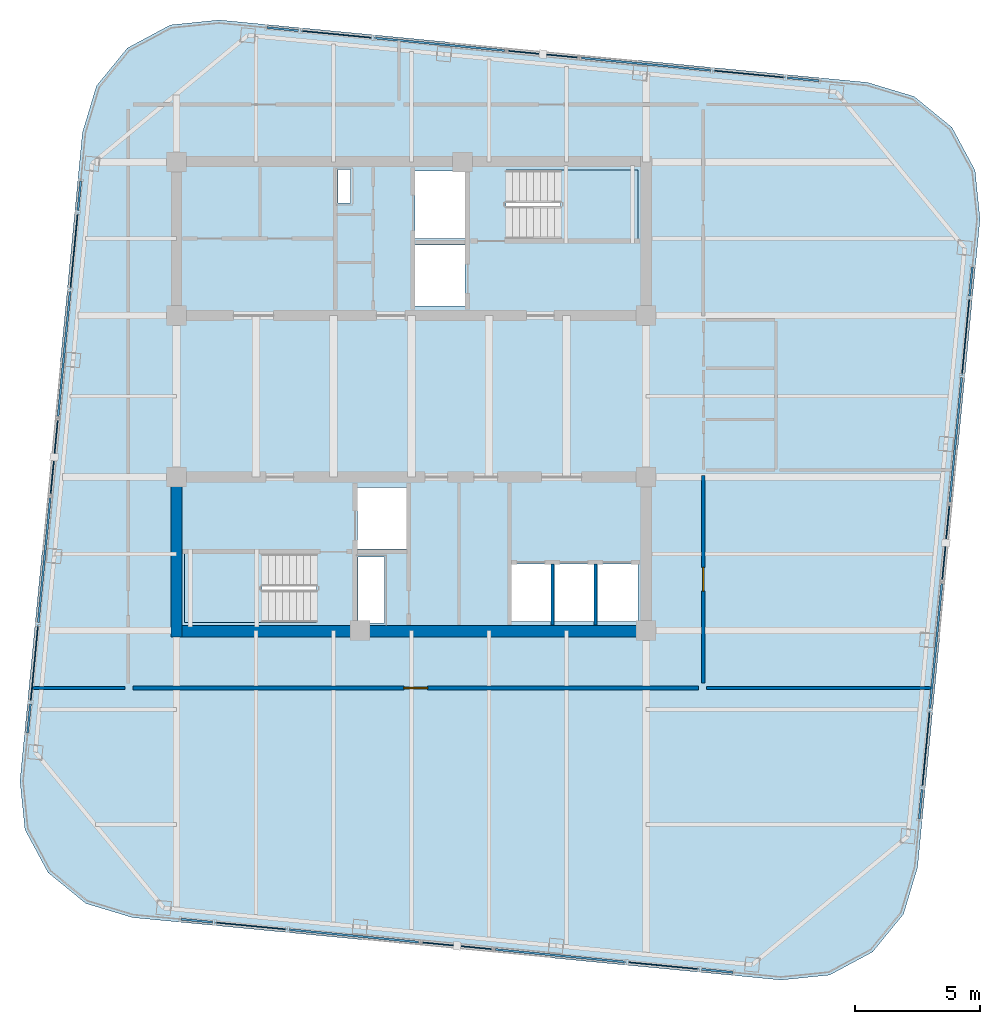
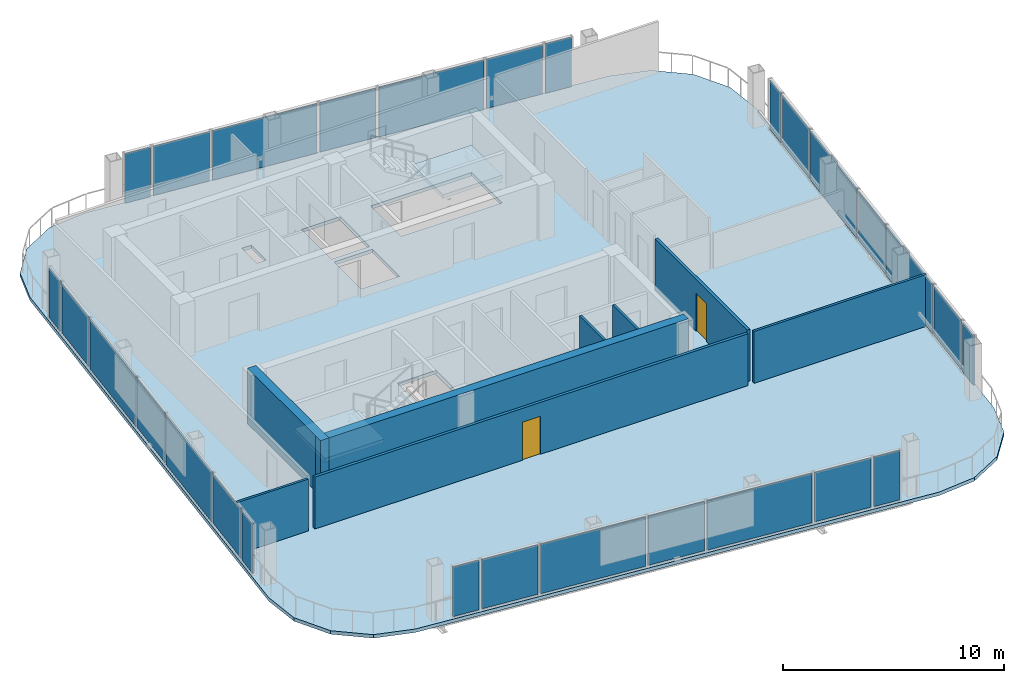
# One storey, part 20 of 26: 28 plates, 8 walls, 3 slabs, 2 doors, 2 openings, 30 elements without a shape of their own.
"""IFC4 building model written with IfcOpenShell, lengths in metres."""

from ifc_helpers import new_model, si_unit, direction, frame, frame_2d, origin, origin_2d, place, context, subcontext, project, spatial, polyline, rectangle, outline, extrude, material, layer, layer_set, type_object, element, fill, aggregate, save


model = new_model("IFC4")

# Units and contexts
model_context = context("Model", 3, precision=1e-05, world=origin(), true_north=direction((0.0, 1.0)))
body_context = subcontext(model_context, "Body", "Model", "MODEL_VIEW")
ifc_project = project(units=[si_unit("LENGTHUNIT", "METRE"), si_unit("AREAUNIT", "SQUARE_METRE"), si_unit("VOLUMEUNIT", "CUBIC_METRE"), si_unit("PLANEANGLEUNIT", "RADIAN"), si_unit("MASSUNIT", "GRAM", prefix="KILO")], contexts=[model_context])

# Site, building, storey
site_placement = place(None, origin())
site = spatial("IfcSite", under=ifc_project, at=site_placement, CompositionType="ELEMENT")
building_placement = place(site_placement, origin())
building = spatial("IfcBuilding", under=site, at=building_placement, Name="Qhalaya Broadcast Tower", CompositionType="ELEMENT")
storey_placement = place(building_placement, frame((0.0, 0.0, 248.949951171875)))
storey = spatial("IfcBuildingStorey", under=building, at=storey_placement, Name="L73", CompositionType="ELEMENT", Elevation=248.949951171875)

# Curtain wall, plate
ifc_material_1 = material(Name="Fired Architectural Terracotta", Category="masonry")
ifc_layer_1 = layer(ifc_material_1, 0.219970703125, Name="Fired Architectural Terracotta")
ifc_layer_set_1 = layer_set([ifc_layer_1], Name="Fired Architectural Terracotta")
curtain_wall_type_1 = type_object("IfcCurtainWallType", Name="Block-Cap Unitised Terracotta Spandrel Wall CW-07", PredefinedType="NOTDEFINED", material=ifc_layer_set_1)
curtain_wall_1_placement = place(storey_placement, origin())
curtain_wall_1 = element("IfcCurtainWall", 1, at=curtain_wall_1_placement, inside=storey, type_object=curtain_wall_type_1, Name="L73 Unitised Curtain Wall L73-CW-S1", PredefinedType="NOTDEFINED")
ifc_layer_2 = layer(ifc_material_1, 0.080078125, Name="Fired Architectural Terracotta")
ifc_layer_set_2 = layer_set([ifc_layer_2], Name="Fired Architectural Terracotta")
plate_type_1 = type_object("IfcPlateType", Name="Insulated Terracotta Spandrel Panel TSP-07", PredefinedType="CURTAIN_PANEL", material=ifc_layer_set_2)
plate_1_placement = place(storey_placement, frame((-8.564697265625, -20.337158203125, 0.074951171875), z_axis=(0.0, 0.0, 1.0), x_axis=(0.995396007008, -0.095847739846, 0.0)))
plate_1 = element("IfcPlate", 2, at=plate_1_placement, type_object=plate_type_1, Name="CW-07 panel 1.1", PredefinedType="CURTAIN_PANEL", context=body_context, shape_type="SweptSolid", body=[
    extrude(rectangle(XDim=1.27197265625, YDim=0.080078125, at=origin_2d()), origin(), (0.0, 0.0, 1.0), 2.7099609375),
])
aggregate(curtain_wall_1, [plate_1])

curtain_wall_2_placement = place(storey_placement, origin())
curtain_wall_2 = element("IfcCurtainWall", 3, at=curtain_wall_2_placement, inside=storey, type_object=curtain_wall_type_1, Name="L73 Unitised Curtain Wall L73-CW-S3", PredefinedType="NOTDEFINED")
plate_2_placement = place(storey_placement, frame((-2.2880859375, -20.941650390625, 0.074951171875), z_axis=(0.0, 0.0, 1.0), x_axis=(0.995396263968, -0.095845071223, 0.0)))
plate_2 = element("IfcPlate", 4, at=plate_2_placement, type_object=plate_type_1, Name="CW-07 panel 1.1", PredefinedType="CURTAIN_PANEL", context=body_context, shape_type="SweptSolid", body=[
    extrude(rectangle(XDim=5.193115234375, YDim=0.080078125, at=origin_2d()), origin(), (0.0, 0.0, 1.0), 2.7099609375),
])
aggregate(curtain_wall_2, [plate_2])

curtain_wall_3_placement = place(storey_placement, origin())
curtain_wall_3 = element("IfcCurtainWall", 5, at=curtain_wall_3_placement, inside=storey, type_object=curtain_wall_type_1, Name="L73 Unitised Curtain Wall L73-CW-S5", PredefinedType="NOTDEFINED")
plate_3_placement = place(storey_placement, frame((5.940673828125, -21.73388671875, 0.074951171875), z_axis=(0.0, 0.0, 1.0), x_axis=(0.995396263968, -0.095845071223, 0.0)))
plate_3 = element("IfcPlate", 6, at=plate_3_placement, type_object=plate_type_1, Name="CW-07 panel 1.1", PredefinedType="CURTAIN_PANEL", context=body_context, shape_type="SweptSolid", body=[
    extrude(rectangle(XDim=5.193115234375, YDim=0.080078125, at=origin_2d()), origin(), (0.0, 0.0, 1.0), 2.7099609375),
])
aggregate(curtain_wall_3, [plate_3])

curtain_wall_4_placement = place(storey_placement, origin())
curtain_wall_4 = element("IfcCurtainWall", 7, at=curtain_wall_4_placement, inside=storey, type_object=curtain_wall_type_1, Name="L73 Unitised Curtain Wall L73-CW-S7", PredefinedType="NOTDEFINED")
plate_4_placement = place(storey_placement, frame((12.21728515625, -22.338134765625, 0.074951171875), z_axis=(0.0, 0.0, 1.0), x_axis=(0.995395360914, -0.095854449411, 0.0)))
plate_4 = element("IfcPlate", 8, at=plate_4_placement, type_object=plate_type_1, Name="CW-07 panel 1.1", PredefinedType="CURTAIN_PANEL", context=body_context, shape_type="SweptSolid", body=[
    extrude(rectangle(XDim=1.27197265625, YDim=0.080078125, at=origin_2d()), origin(), (0.0, 0.0, 1.0), 2.7099609375),
])
aggregate(curtain_wall_4, [plate_4])

curtain_wall_5_placement = place(storey_placement, origin())
curtain_wall_5 = element("IfcCurtainWall", 9, at=curtain_wall_5_placement, inside=storey, type_object=curtain_wall_type_1, Name="L73 Unitised Curtain Wall L73-CW-E1", PredefinedType="NOTDEFINED")
plate_5_placement = place(storey_placement, frame((20.332763671875, -15.69140625, 0.074951171875), z_axis=(0.0, 0.0, 1.0), x_axis=(0.095857322215, 0.995395084264, 0.0)))
plate_5 = element("IfcPlate", 10, at=plate_5_placement, type_object=plate_type_1, Name="CW-07 panel 1.1", PredefinedType="CURTAIN_PANEL", context=body_context, shape_type="SweptSolid", body=[
    extrude(rectangle(XDim=1.177978515625, YDim=0.080078125, at=origin_2d()), origin(), (0.0, 0.0, 1.0), 2.7099609375),
])
aggregate(curtain_wall_5, [plate_5])

curtain_wall_6_placement = place(storey_placement, origin())
curtain_wall_6 = element("IfcCurtainWall", 11, at=curtain_wall_6_placement, inside=storey, type_object=curtain_wall_type_1, Name="L73 Unitised Curtain Wall L73-CW-E3", PredefinedType="NOTDEFINED")
plate_6_placement = place(storey_placement, frame((20.941650390625, -9.3681640625, 0.074951171875), z_axis=(0.0, 0.0, 1.0), x_axis=(0.095851335452, 0.995395660776, 0.0)))
plate_6 = element("IfcPlate", 12, at=plate_6_placement, type_object=plate_type_1, Name="CW-07 panel 1.1", PredefinedType="CURTAIN_PANEL", context=body_context, shape_type="SweptSolid", body=[
    extrude(rectangle(XDim=5.0068359375, YDim=0.080078125, at=origin_2d()), origin(), (0.0, 0.0, 1.0), 2.7099609375),
])
aggregate(curtain_wall_6, [plate_6])

curtain_wall_7_placement = place(storey_placement, origin())
curtain_wall_7 = element("IfcCurtainWall", 13, at=curtain_wall_7_placement, inside=storey, type_object=curtain_wall_type_1, Name="L73 Unitised Curtain Wall L73-CW-E5", PredefinedType="NOTDEFINED")
plate_7_placement = place(storey_placement, frame((21.73388671875, -1.13916015625, 0.074951171875), z_axis=(0.0, 0.0, 1.0), x_axis=(0.095849485357, 0.995395838929, 0.0)))
plate_7 = element("IfcPlate", 14, at=plate_7_placement, type_object=plate_type_1, Name="CW-07 panel 1.1", PredefinedType="CURTAIN_PANEL", context=body_context, shape_type="SweptSolid", body=[
    extrude(rectangle(XDim=5.007080078125, YDim=0.080078125, at=origin_2d()), origin(), (0.0, 0.0, 1.0), 2.7099609375),
])
aggregate(curtain_wall_7, [plate_7])

curtain_wall_8_placement = place(storey_placement, origin())
curtain_wall_8 = element("IfcCurtainWall", 15, at=curtain_wall_8_placement, inside=storey, type_object=curtain_wall_type_1, Name="L73 Unitised Curtain Wall L73-CW-E7", PredefinedType="NOTDEFINED")
plate_8_placement = place(storey_placement, frame((22.3427734375, 5.183837890625, 0.074951171875), z_axis=(0.0, 0.0, 1.0), x_axis=(0.095857322215, 0.995395084264, 0.0)))
plate_8 = element("IfcPlate", 16, at=plate_8_placement, type_object=plate_type_1, Name="CW-07 panel 1.1", PredefinedType="CURTAIN_PANEL", context=body_context, shape_type="SweptSolid", body=[
    extrude(rectangle(XDim=1.177978515625, YDim=0.080078125, at=origin_2d()), origin(), (0.0, 0.0, 1.0), 2.7099609375),
])
aggregate(curtain_wall_8, [plate_8])

curtain_wall_9_placement = place(storey_placement, origin())
curtain_wall_9 = element("IfcCurtainWall", 17, at=curtain_wall_9_placement, inside=storey, type_object=curtain_wall_type_1, Name="L73 Unitised Curtain Wall L73-CW-N1", PredefinedType="NOTDEFINED")
plate_9_placement = place(storey_placement, frame((15.64453125, 13.257080078125, 0.074951171875), z_axis=(0.0, 0.0, 1.0), x_axis=(-0.995396007008, 0.095847739846, 0.0)))
plate_9 = element("IfcPlate", 18, at=plate_9_placement, type_object=plate_type_1, Name="CW-07 panel 1.1", PredefinedType="CURTAIN_PANEL", context=body_context, shape_type="SweptSolid", body=[
    extrude(rectangle(XDim=1.27197265625, YDim=0.080078125, at=origin_2d()), origin(), (0.0, 0.0, 1.0), 2.7099609375),
])
aggregate(curtain_wall_9, [plate_9])

curtain_wall_10_placement = place(storey_placement, origin())
curtain_wall_10 = element("IfcCurtainWall", 19, at=curtain_wall_10_placement, inside=storey, type_object=curtain_wall_type_1, Name="L73 Unitised Curtain Wall L73-CW-N3", PredefinedType="NOTDEFINED")
plate_10_placement = place(storey_placement, frame((9.3681640625, 13.861572265625, 0.074951171875), z_axis=(0.0, 0.0, 1.0), x_axis=(-0.995396263968, 0.095845071223, 0.0)))
plate_10 = element("IfcPlate", 20, at=plate_10_placement, type_object=plate_type_1, Name="CW-07 panel 1.1", PredefinedType="CURTAIN_PANEL", context=body_context, shape_type="SweptSolid", body=[
    extrude(rectangle(XDim=5.193115234375, YDim=0.080078125, at=origin_2d()), origin(), (0.0, 0.0, 1.0), 2.7099609375),
])
aggregate(curtain_wall_10, [plate_10])

curtain_wall_11_placement = place(storey_placement, origin())
curtain_wall_11 = element("IfcCurtainWall", 21, at=curtain_wall_11_placement, inside=storey, type_object=curtain_wall_type_1, Name="L73 Unitised Curtain Wall L73-CW-N5", PredefinedType="NOTDEFINED")
plate_11_placement = place(storey_placement, frame((1.139404296875, 14.65380859375, 0.074951171875), z_axis=(0.0, 0.0, 1.0), x_axis=(-0.995396263968, 0.095845071223, 0.0)))
plate_11 = element("IfcPlate", 22, at=plate_11_placement, type_object=plate_type_1, Name="CW-07 panel 1.1", PredefinedType="CURTAIN_PANEL", context=body_context, shape_type="SweptSolid", body=[
    extrude(rectangle(XDim=5.193115234375, YDim=0.080078125, at=origin_2d()), origin(), (0.0, 0.0, 1.0), 2.7099609375),
])
aggregate(curtain_wall_11, [plate_11])

curtain_wall_12_placement = place(storey_placement, origin())
curtain_wall_12 = element("IfcCurtainWall", 23, at=curtain_wall_12_placement, inside=storey, type_object=curtain_wall_type_1, Name="L73 Unitised Curtain Wall L73-CW-N7", PredefinedType="NOTDEFINED")
plate_12_placement = place(storey_placement, frame((-5.13720703125, 15.25830078125, 0.074951171875), z_axis=(0.0, 0.0, 1.0), x_axis=(-0.995395360914, 0.095854449411, 0.0)))
plate_12 = element("IfcPlate", 24, at=plate_12_placement, type_object=plate_type_1, Name="CW-07 panel 1.1", PredefinedType="CURTAIN_PANEL", context=body_context, shape_type="SweptSolid", body=[
    extrude(rectangle(XDim=1.27197265625, YDim=0.080078125, at=origin_2d()), origin(), (0.0, 0.0, 1.0), 2.7099609375),
])
aggregate(curtain_wall_12, [plate_12])

curtain_wall_13_placement = place(storey_placement, origin())
curtain_wall_13 = element("IfcCurtainWall", 25, at=curtain_wall_13_placement, inside=storey, type_object=curtain_wall_type_1, Name="L73 Unitised Curtain Wall L73-CW-W1", PredefinedType="NOTDEFINED")
plate_13_placement = place(storey_placement, frame((-13.252685546875, 8.611328125, 0.074951171875), z_axis=(0.0, 0.0, 1.0), x_axis=(-0.095857322215, -0.995395084264, 0.0)))
plate_13 = element("IfcPlate", 26, at=plate_13_placement, type_object=plate_type_1, Name="CW-07 panel 1.1", PredefinedType="CURTAIN_PANEL", context=body_context, shape_type="SweptSolid", body=[
    extrude(rectangle(XDim=1.177978515625, YDim=0.080078125, at=origin_2d()), origin(), (0.0, 0.0, 1.0), 2.7099609375),
])
aggregate(curtain_wall_13, [plate_13])

curtain_wall_14_placement = place(storey_placement, origin())
curtain_wall_14 = element("IfcCurtainWall", 27, at=curtain_wall_14_placement, inside=storey, type_object=curtain_wall_type_1, Name="L73 Unitised Curtain Wall L73-CW-W3", PredefinedType="NOTDEFINED")
plate_14_placement = place(storey_placement, frame((-13.861572265625, 2.2880859375, 0.074951171875), z_axis=(0.0, 0.0, 1.0), x_axis=(-0.095851335452, -0.995395660776, 0.0)))
plate_14 = element("IfcPlate", 28, at=plate_14_placement, type_object=plate_type_1, Name="CW-07 panel 1.1", PredefinedType="CURTAIN_PANEL", context=body_context, shape_type="SweptSolid", body=[
    extrude(rectangle(XDim=5.0068359375, YDim=0.080078125, at=origin_2d()), origin(), (0.0, 0.0, 1.0), 2.7099609375),
])
aggregate(curtain_wall_14, [plate_14])

curtain_wall_15_placement = place(storey_placement, origin())
curtain_wall_15 = element("IfcCurtainWall", 29, at=curtain_wall_15_placement, inside=storey, type_object=curtain_wall_type_1, Name="L73 Unitised Curtain Wall L73-CW-W5", PredefinedType="NOTDEFINED")
plate_15_placement = place(storey_placement, frame((-14.65380859375, -5.940673828125, 0.074951171875), z_axis=(0.0, 0.0, 1.0), x_axis=(-0.095849485357, -0.995395838929, 0.0)))
plate_15 = element("IfcPlate", 30, at=plate_15_placement, type_object=plate_type_1, Name="CW-07 panel 1.1", PredefinedType="CURTAIN_PANEL", context=body_context, shape_type="SweptSolid", body=[
    extrude(rectangle(XDim=5.007080078125, YDim=0.080078125, at=origin_2d()), origin(), (0.0, 0.0, 1.0), 2.7099609375),
])
aggregate(curtain_wall_15, [plate_15])

curtain_wall_16_placement = place(storey_placement, origin())
curtain_wall_16 = element("IfcCurtainWall", 31, at=curtain_wall_16_placement, inside=storey, type_object=curtain_wall_type_1, Name="L73 Unitised Curtain Wall L73-CW-W7", PredefinedType="NOTDEFINED")
plate_16_placement = place(storey_placement, frame((-15.2626953125, -12.263916015625, 0.074951171875), z_axis=(0.0, 0.0, 1.0), x_axis=(-0.095857322215, -0.995395084264, 0.0)))
plate_16 = element("IfcPlate", 32, at=plate_16_placement, type_object=plate_type_1, Name="CW-07 panel 1.1", PredefinedType="CURTAIN_PANEL", context=body_context, shape_type="SweptSolid", body=[
    extrude(rectangle(XDim=1.177978515625, YDim=0.080078125, at=origin_2d()), origin(), (0.0, 0.0, 1.0), 2.7099609375),
])
aggregate(curtain_wall_16, [plate_16])

ifc_material_2 = material(Name="Solar-Control Low-E Triple Glazing", Category="glass")
ifc_layer_3 = layer(ifc_material_2, 0.219970703125, Name="Solar-Control Low-E Triple Glazing")
ifc_layer_set_3 = layer_set([ifc_layer_3], Name="Solar-Control Low-E Triple Glazing")
curtain_wall_type_2 = type_object("IfcCurtainWallType", Name="High-Altitude Upper-Shaft Triple Low-E Curtain Wall CW-04", PredefinedType="NOTDEFINED", material=ifc_layer_set_3)
curtain_wall_17_placement = place(storey_placement, origin())
curtain_wall_17 = element("IfcCurtainWall", 33, at=curtain_wall_17_placement, inside=storey, type_object=curtain_wall_type_2, Name="L73 Unitised Curtain Wall L73-CW-S2", PredefinedType="NOTDEFINED")
ifc_layer_4 = layer(ifc_material_2, 0.0419921875, Name="Solar-Control Low-E Triple Glazing")
ifc_layer_set_4 = layer_set([ifc_layer_4], Name="Solar-Control Low-E Triple Glazing")
plate_type_2 = type_object("IfcPlateType", Name="Solar-Control Curtain Glazing Panel GLP-04", PredefinedType="CURTAIN_PANEL", material=ifc_layer_set_4)
plate_17_placement = place(storey_placement, frame((-6.402099609375, -20.54541015625, 0.074951171875), z_axis=(0.0, 0.0, 1.0), x_axis=(0.99539466371, -0.095861689211, 0.0)))
plate_17 = element("IfcPlate", 34, at=plate_17_placement, type_object=plate_type_2, Name="CW-04 panel 1.1", PredefinedType="CURTAIN_PANEL", context=body_context, shape_type="SweptSolid", body=[
    extrude(rectangle(XDim=2.77294921875, YDim=0.0419921875, at=origin_2d()), origin(), (0.0, 0.0, 1.0), 2.7099609375),
])
aggregate(curtain_wall_17, [plate_17])

curtain_wall_18_placement = place(storey_placement, origin())
curtain_wall_18 = element("IfcCurtainWall", 35, at=curtain_wall_18_placement, inside=storey, type_object=curtain_wall_type_2, Name="L73 Unitised Curtain Wall L73-CW-S4", PredefinedType="NOTDEFINED")
plate_18_placement = place(storey_placement, frame((1.826171875, -21.337646484375, 0.074951171875), z_axis=(0.0, 0.0, 1.0), x_axis=(0.995397805992, -0.095829055234, 0.0)))
plate_18 = element("IfcPlate", 36, at=plate_18_placement, type_object=plate_type_2, Name="CW-04 panel 1.1", PredefinedType="CURTAIN_PANEL", context=body_context, shape_type="SweptSolid", body=[
    extrude(rectangle(XDim=2.77392578125, YDim=0.0419921875, at=origin_2d()), origin(), (0.0, 0.0, 1.0), 2.7099609375),
])
aggregate(curtain_wall_18, [plate_18])

curtain_wall_19_placement = place(storey_placement, origin())
curtain_wall_19 = element("IfcCurtainWall", 37, at=curtain_wall_19_placement, inside=storey, type_object=curtain_wall_type_2, Name="L73 Unitised Curtain Wall L73-CW-S6", PredefinedType="NOTDEFINED")
plate_19_placement = place(storey_placement, frame((10.0546875, -22.1298828125, 0.074951171875), z_axis=(0.0, 0.0, 1.0), x_axis=(0.995394978082, -0.095858424822, 0.0)))
plate_19 = element("IfcPlate", 38, at=plate_19_placement, type_object=plate_type_2, Name="CW-04 panel 1.1", PredefinedType="CURTAIN_PANEL", context=body_context, shape_type="SweptSolid", body=[
    extrude(rectangle(XDim=2.77294921875, YDim=0.0419921875, at=origin_2d()), origin(), (0.0, 0.0, 1.0), 2.7099609375),
])
aggregate(curtain_wall_19, [plate_19])

curtain_wall_20_placement = place(storey_placement, origin())
curtain_wall_20 = element("IfcCurtainWall", 39, at=curtain_wall_20_placement, inside=storey, type_object=curtain_wall_type_2, Name="L73 Unitised Curtain Wall L73-CW-E2", PredefinedType="NOTDEFINED")
plate_20_placement = place(storey_placement, frame((20.54541015625, -13.482666015625, 0.074951171875), z_axis=(0.0, 0.0, 1.0), x_axis=(0.095851485016, 0.995395646374, 0.0)))
plate_20 = element("IfcPlate", 40, at=plate_20_placement, type_object=plate_type_2, Name="CW-04 panel 1.1", PredefinedType="CURTAIN_PANEL", context=body_context, shape_type="SweptSolid", body=[
    extrude(rectangle(XDim=2.9599609375, YDim=0.0419921875, at=origin_2d()), origin(), (0.0, 0.0, 1.0), 2.7099609375),
])
aggregate(curtain_wall_20, [plate_20])

curtain_wall_21_placement = place(storey_placement, origin())
curtain_wall_21 = element("IfcCurtainWall", 41, at=curtain_wall_21_placement, inside=storey, type_object=curtain_wall_type_2, Name="L73 Unitised Curtain Wall L73-CW-E4", PredefinedType="NOTDEFINED")
plate_21_placement = place(storey_placement, frame((21.337646484375, -5.253662109375, 0.074951171875), z_axis=(0.0, 0.0, 1.0), x_axis=(0.095819626155, 0.995398713704, 0.0)))
plate_21 = element("IfcPlate", 42, at=plate_21_placement, type_object=plate_type_2, Name="CW-04 panel 1.1", PredefinedType="CURTAIN_PANEL", context=body_context, shape_type="SweptSolid", body=[
    extrude(rectangle(XDim=2.9599609375, YDim=0.0419921875, at=origin_2d()), origin(), (0.0, 0.0, 1.0), 2.7099609375),
])
aggregate(curtain_wall_21, [plate_21])

curtain_wall_22_placement = place(storey_placement, origin())
curtain_wall_22 = element("IfcCurtainWall", 43, at=curtain_wall_22_placement, inside=storey, type_object=curtain_wall_type_2, Name="L73 Unitised Curtain Wall L73-CW-E6", PredefinedType="NOTDEFINED")
plate_22_placement = place(storey_placement, frame((22.130126953125, 2.97509765625, 0.074951171875), z_axis=(0.0, 0.0, 1.0), x_axis=(0.095854552953, 0.995395350943, 0.0)))
plate_22 = element("IfcPlate", 44, at=plate_22_placement, type_object=plate_type_2, Name="CW-04 panel 1.1", PredefinedType="CURTAIN_PANEL", context=body_context, shape_type="SweptSolid", body=[
    extrude(rectangle(XDim=2.9599609375, YDim=0.0419921875, at=origin_2d()), origin(), (0.0, 0.0, 1.0), 2.7099609375),
])
aggregate(curtain_wall_22, [plate_22])

curtain_wall_23_placement = place(storey_placement, origin())
curtain_wall_23 = element("IfcCurtainWall", 45, at=curtain_wall_23_placement, inside=storey, type_object=curtain_wall_type_2, Name="L73 Unitised Curtain Wall L73-CW-N2", PredefinedType="NOTDEFINED")
plate_23_placement = place(storey_placement, frame((13.482177734375, 13.46533203125, 0.074951171875), z_axis=(0.0, 0.0, 1.0), x_axis=(-0.99539466371, 0.095861689211, 0.0)))
plate_23 = element("IfcPlate", 46, at=plate_23_placement, type_object=plate_type_2, Name="CW-04 panel 1.1", PredefinedType="CURTAIN_PANEL", context=body_context, shape_type="SweptSolid", body=[
    extrude(rectangle(XDim=2.77294921875, YDim=0.0419921875, at=origin_2d()), origin(), (0.0, 0.0, 1.0), 2.7099609375),
])
aggregate(curtain_wall_23, [plate_23])

curtain_wall_24_placement = place(storey_placement, origin())
curtain_wall_24 = element("IfcCurtainWall", 47, at=curtain_wall_24_placement, inside=storey, type_object=curtain_wall_type_2, Name="L73 Unitised Curtain Wall L73-CW-N4", PredefinedType="NOTDEFINED")
plate_24_placement = place(storey_placement, frame((5.253662109375, 14.2578125, 0.074951171875), z_axis=(0.0, 0.0, 1.0), x_axis=(-0.995397805992, 0.095829055234, 0.0)))
plate_24 = element("IfcPlate", 48, at=plate_24_placement, type_object=plate_type_2, Name="CW-04 panel 1.1", PredefinedType="CURTAIN_PANEL", context=body_context, shape_type="SweptSolid", body=[
    extrude(rectangle(XDim=2.77392578125, YDim=0.0419921875, at=origin_2d()), origin(), (0.0, 0.0, 1.0), 2.7099609375),
])
aggregate(curtain_wall_24, [plate_24])

curtain_wall_25_placement = place(storey_placement, origin())
curtain_wall_25 = element("IfcCurtainWall", 49, at=curtain_wall_25_placement, inside=storey, type_object=curtain_wall_type_2, Name="L73 Unitised Curtain Wall L73-CW-N6", PredefinedType="NOTDEFINED")
plate_25_placement = place(storey_placement, frame((-2.974609375, 15.050048828125, 0.074951171875), z_axis=(0.0, 0.0, 1.0), x_axis=(-0.995394978082, 0.095858424822, 0.0)))
plate_25 = element("IfcPlate", 50, at=plate_25_placement, type_object=plate_type_2, Name="CW-04 panel 1.1", PredefinedType="CURTAIN_PANEL", context=body_context, shape_type="SweptSolid", body=[
    extrude(rectangle(XDim=2.77294921875, YDim=0.0419921875, at=origin_2d()), origin(), (0.0, 0.0, 1.0), 2.7099609375),
])
aggregate(curtain_wall_25, [plate_25])

curtain_wall_26_placement = place(storey_placement, origin())
curtain_wall_26 = element("IfcCurtainWall", 51, at=curtain_wall_26_placement, inside=storey, type_object=curtain_wall_type_2, Name="L73 Unitised Curtain Wall L73-CW-W2", PredefinedType="NOTDEFINED")
plate_26_placement = place(storey_placement, frame((-13.46533203125, 6.402587890625, 0.074951171875), z_axis=(0.0, 0.0, 1.0), x_axis=(-0.095851485016, -0.995395646374, 0.0)))
plate_26 = element("IfcPlate", 52, at=plate_26_placement, type_object=plate_type_2, Name="CW-04 panel 1.1", PredefinedType="CURTAIN_PANEL", context=body_context, shape_type="SweptSolid", body=[
    extrude(rectangle(XDim=2.9599609375, YDim=0.0419921875, at=origin_2d()), origin(), (0.0, 0.0, 1.0), 2.7099609375),
])
aggregate(curtain_wall_26, [plate_26])

curtain_wall_27_placement = place(storey_placement, origin())
curtain_wall_27 = element("IfcCurtainWall", 53, at=curtain_wall_27_placement, inside=storey, type_object=curtain_wall_type_2, Name="L73 Unitised Curtain Wall L73-CW-W4", PredefinedType="NOTDEFINED")
plate_27_placement = place(storey_placement, frame((-14.2578125, -1.826171875, 0.074951171875), z_axis=(0.0, 0.0, 1.0), x_axis=(-0.095819626155, -0.995398713704, 0.0)))
plate_27 = element("IfcPlate", 54, at=plate_27_placement, type_object=plate_type_2, Name="CW-04 panel 1.1", PredefinedType="CURTAIN_PANEL", context=body_context, shape_type="SweptSolid", body=[
    extrude(rectangle(XDim=2.9599609375, YDim=0.0419921875, at=origin_2d()), origin(), (0.0, 0.0, 1.0), 2.7099609375),
])
aggregate(curtain_wall_27, [plate_27])

curtain_wall_28_placement = place(storey_placement, origin())
curtain_wall_28 = element("IfcCurtainWall", 55, at=curtain_wall_28_placement, inside=storey, type_object=curtain_wall_type_2, Name="L73 Unitised Curtain Wall L73-CW-W6", PredefinedType="NOTDEFINED")
plate_28_placement = place(storey_placement, frame((-15.050048828125, -10.05517578125, 0.074951171875), z_axis=(0.0, 0.0, 1.0), x_axis=(-0.095854552953, -0.995395350943, 0.0)))
plate_28 = element("IfcPlate", 56, at=plate_28_placement, type_object=plate_type_2, Name="CW-04 panel 1.1", PredefinedType="CURTAIN_PANEL", context=body_context, shape_type="SweptSolid", body=[
    extrude(rectangle(XDim=2.9599609375, YDim=0.0419921875, at=origin_2d()), origin(), (0.0, 0.0, 1.0), 2.7099609375),
])
aggregate(curtain_wall_28, [plate_28])

# Stair, slab
ifc_material_3 = material(Name="Concrete C40/50", Category="concrete")
stair_type = type_object("IfcStairType", Name="Protected Dogleg Core Stair 3150", PredefinedType="TWO_STRAIGHT_RUN_STAIR", material=ifc_material_3)
stair_1_placement = place(storey_placement, origin())
stair_1 = element("IfcStair", 57, at=stair_1_placement, inside=storey, type_object=stair_type, Name="L73 North Core Exit Stair ST-1", PredefinedType="TWO_STRAIGHT_RUN_STAIR")
ifc_layer_5 = layer(ifc_material_3, 0.199951171875, Name="Concrete C40/50")
ifc_layer_set_5 = layer_set([ifc_layer_5], Name="Concrete C40/50")
slab_type_1 = type_object("IfcSlabType", Name="Stair & Ramp Half-Landing Slab 200", PredefinedType="LANDING", material=ifc_layer_set_5)
slab_1_placement = place(storey_placement, frame((0.0, 0.0, 1.324951171875)))
slab_1 = element("IfcSlab", 58, at=slab_1_placement, type_object=slab_type_1, Name="ST-1 landing 1", PredefinedType="LANDING", context=body_context, shape_type="SweptSolid", body=[
    extrude(outline(polyline([(5.955078125, 6.8798828125), (9.050048828125, 6.8798828125), (9.050048828125, 9.639892578125), (5.955078125, 9.639892578125), (5.955078125, 6.8798828125)])), origin(), (0.0, 0.0, 1.0), 0.2001953125),
])
aggregate(stair_1, [slab_1])

stair_2_placement = place(storey_placement, origin())
stair_2 = element("IfcStair", 59, at=stair_2_placement, inside=storey, type_object=stair_type, Name="L73 South Core Exit Stair ST-2", PredefinedType="TWO_STRAIGHT_RUN_STAIR")
slab_2_placement = place(storey_placement, frame((0.0, 0.0, 1.324951171875)))
slab_2 = element("IfcSlab", 60, at=slab_2_placement, type_object=slab_type_1, Name="ST-2 landing 1", PredefinedType="LANDING", context=body_context, shape_type="SweptSolid", body=[
    extrude(outline(polyline([(-5.955078125, -5.679931640625), (-9.050048828125, -5.679931640625), (-9.050048828125, -8.43994140625), (-5.955078125, -8.43994140625), (-5.955078125, -5.679931640625)])), origin(), (0.0, 0.0, 1.0), 0.2001953125),
])
aggregate(stair_2, [slab_2])

# Slab
ifc_layer_6 = layer(ifc_material_3, 0.18994140625, Name="Concrete C40/50")
ifc_layer_set_6 = layer_set([ifc_layer_6], Name="Concrete C40/50")
slab_type_2 = type_object("IfcSlabType", Name="Upper Tower Composite Floor Slab 190", PredefinedType="FLOOR", material=ifc_layer_set_6)
slab_3_placement = place(storey_placement, frame((0.0, 0.0, -0.18994140625)))
element("IfcSlab", 61, at=slab_3_placement, inside=storey, type_object=slab_type_2, Name="L73 Main Structural Floor Slab", PredefinedType="FLOOR", context=body_context, shape_type="SweptSolid", body=[
    extrude(outline(polyline([(14.7548828125, -22.703125), (16.696044921875, -22.5078125), (18.41455078125, -21.584228515625), (19.64892578125, -20.073486328125), (20.211181640625, -18.205322265625), (22.703125, 7.6748046875), (22.5078125, 9.615966796875), (21.584228515625, 11.33447265625), (20.073486328125, 12.56884765625), (18.205322265625, 13.131103515625), (-7.6748046875, 15.623046875), (-9.615966796875, 15.427734375), (-11.33447265625, 14.50439453125), (-12.56884765625, 12.993408203125), (-13.131103515625, 11.12548828125), (-15.623046875, -14.7548828125), (-15.427734375, -16.696044921875), (-14.50439453125, -18.41455078125), (-12.993408203125, -19.64892578125), (-11.12548828125, -20.211181640625), (14.7548828125, -22.703125)]), holes=[polyline([(3.784912109375, 9.639892578125), (9.050048828125, 9.639892578125), (9.050048828125, 6.8798828125), (3.784912109375, 6.8798828125), (3.784912109375, 9.639892578125)]), polyline([(-3.784912109375, -8.43994140625), (-9.050048828125, -8.43994140625), (-9.050048828125, -5.679931640625), (-3.784912109375, -5.679931640625), (-3.784912109375, -8.43994140625)]), polyline([(0.14990234375, 6.64990234375), (2.14990234375, 6.64990234375), (2.14990234375, 4.199951171875), (0.14990234375, 4.199951171875), (0.14990234375, 6.64990234375)]), polyline([(0.14990234375, 9.60009765625), (2.14990234375, 9.60009765625), (2.14990234375, 6.89990234375), (0.14990234375, 6.89990234375), (0.14990234375, 9.60009765625)]), polyline([(-2.14990234375, -3.050048828125), (-0.14990234375, -3.050048828125), (-0.14990234375, -5.5), (-2.14990234375, -5.5), (-2.14990234375, -3.050048828125)]), polyline([(4.0, -6.10009765625), (5.60009765625, -6.10009765625), (5.60009765625, -8.39990234375), (4.0, -8.39990234375), (4.0, -6.10009765625)]), polyline([(5.719970703125, -6.10009765625), (7.320068359375, -6.10009765625), (7.320068359375, -8.39990234375), (5.719970703125, -8.39990234375), (5.719970703125, -6.10009765625)]), polyline([(7.43994140625, -6.10009765625), (9.0400390625, -6.10009765625), (9.0400390625, -8.39990234375), (7.43994140625, -8.39990234375), (7.43994140625, -6.10009765625)]), polyline([(-2.919921875, 9.659912109375), (-2.419921875, 9.659912109375), (-2.419921875, 8.320068359375), (-2.919921875, 8.320068359375), (-2.919921875, 9.659912109375)]), polyline([(-2.1201171875, -5.820068359375), (-1.080078125, -5.820068359375), (-1.080078125, -8.4599609375), (-2.1201171875, -8.4599609375), (-2.1201171875, -5.820068359375)])]), origin(), (0.0, 0.0, 1.0), 0.18994140625),
])

# Wall, opening, door
ifc_material_4 = material(Name="Gypsum Acoustic Partition")
ifc_layer_7 = layer(ifc_material_4, 0.14990234375, Name="Gypsum Acoustic Partition")
ifc_layer_set_7 = layer_set([ifc_layer_7], Name="Gypsum Acoustic Partition")
wall_type_1 = type_object("IfcWallType", Name="Corridor & Tenancy Acoustic Partition 150", PredefinedType="PARTITIONING", material=ifc_layer_set_7)
wall_1_placement = place(storey_placement, frame((-11.1201171875, -11.050048828125, 0.0), z_axis=(0.0, 0.0, 1.0), x_axis=(1.0, 0.0, 0.0)))
wall_1 = element("IfcWall", 62, at=wall_1_placement, inside=storey, type_object=wall_type_1, Name="L73 Partition Wall W-COR-03", PredefinedType="PARTITIONING", context=body_context, shape_type="SweptSolid", body=[
    extrude(rectangle(XDim=22.590087890625, YDim=0.14990234375, at=frame_2d((11.294921875, 0.0))), origin(), (0.0, 0.0, 1.0), 2.860107421875),
])
opening_1_placement = place(wall_1_placement, frame((10.820068359375, 0.0, 0.0)))
opening_1 = element("IfcOpeningElement", 63, at=opening_1_placement, cuts=wall_1, Name="Opening D10", PredefinedType="OPENING", context=body_context, shape_type="SweptSolid", body=[
    extrude(rectangle(XDim=0.949951171875, YDim=2.10009765625, at=frame_2d((0.47509765625, 1.050048828125))), frame((0.0, 0.0869140625, 0.0), z_axis=(0.0, -1.0, 0.0), x_axis=(1.0, 0.0, 0.0)), (0.0, 0.0, 1.0), 0.173828125),
])
ifc_material_5 = material(Name="Timber Veneer Acoustic Door", Category="wood")
door_type = type_object("IfcDoorType", Name="Cellular Office & Edit Booth Door D10", OperationType="NOTDEFINED", PredefinedType="DOOR", material=ifc_material_5)
door_1_placement = place(opening_1_placement, origin())
door_1 = element("IfcDoor", 64, at=door_1_placement, inside=storey, type_object=door_type, Name="L73 Door D-RM03", OperationType="SINGLE_SWING_LEFT", OverallHeight=2.10009765625, OverallWidth=0.949951171875, PredefinedType="DOOR", context=body_context, shape_type="SweptSolid", body=[
    extrude(rectangle(XDim=0.949951171875, YDim=2.10009765625, at=frame_2d((0.47509765625, 1.050048828125))), frame((0.0, 0.02490234375, 0.0), z_axis=(0.0, -1.0, 0.0), x_axis=(1.0, 0.0, 0.0)), (0.0, 0.0, 1.0), 0.050048828125),
])
fill(opening_1, door_1)

wall_2_placement = place(storey_placement, frame((11.64990234375, -10.85009765625, 0.0), z_axis=(0.0, 0.0, 1.0), x_axis=(0.0, 1.0, 0.0)))
wall_2 = element("IfcWall", 65, at=wall_2_placement, inside=storey, type_object=wall_type_1, Name="L73 Partition Wall W-COR-05", PredefinedType="PARTITIONING", context=body_context, shape_type="SweptSolid", body=[
    extrude(rectangle(XDim=8.2900390625, YDim=0.14990234375, at=frame_2d((4.14501953125, 0.0))), origin(), (0.0, 0.0, 1.0), 2.860107421875),
])
opening_2_placement = place(wall_2_placement, frame((3.669921875, 0.0, 0.0)))
opening_2 = element("IfcOpeningElement", 66, at=opening_2_placement, cuts=wall_2, Name="Opening D10", PredefinedType="OPENING", context=body_context, shape_type="SweptSolid", body=[
    extrude(rectangle(XDim=0.949951171875, YDim=2.10009765625, at=frame_2d((0.47509765625, 1.050048828125))), frame((0.0, 0.0869140625, 0.0), z_axis=(0.0, -1.0, 0.0), x_axis=(1.0, 0.0, 0.0)), (0.0, 0.0, 1.0), 0.173828125),
])
door_2_placement = place(opening_2_placement, origin())
door_2 = element("IfcDoor", 67, at=door_2_placement, inside=storey, type_object=door_type, Name="L73 Door D-RM05", OperationType="SINGLE_SWING_LEFT", OverallHeight=2.10009765625, OverallWidth=0.949951171875, PredefinedType="DOOR", context=body_context, shape_type="SweptSolid", body=[
    extrude(rectangle(XDim=0.949951171875, YDim=2.10009765625, at=frame_2d((0.47509765625, 1.050048828125))), frame((0.0, 0.02490234375, 0.0), z_axis=(0.0, -1.0, 0.0), x_axis=(1.0, 0.0, 0.0)), (0.0, 0.0, 1.0), 0.050048828125),
])
fill(opening_2, door_2)

# Walls
ifc_layer_8 = layer(ifc_material_4, 0.1201171875, Name="Gypsum Acoustic Partition")
ifc_layer_set_8 = layer_set([ifc_layer_8], Name="Gypsum Acoustic Partition")
wall_type_2 = type_object("IfcWallType", Name="Office, Booth & Sanitary Partition 120", PredefinedType="PARTITIONING", material=ifc_layer_set_8)
for number, where, z_axis, x_axis, name in (
    (68, (5.639892578125, -8.530029296875, 0.0), (0.0, 0.0, 1.0), (0.0, 1.0, 0.0), "L73 Partition Wall SCW-HD6"),
    (69, (7.360107421875, -8.530029296875, 0.0), (0.0, 0.0, 1.0), (0.0, 1.0, 0.0), "L73 Partition Wall SCW-HD7"),
):
    element("IfcWall", number, at=place(storey_placement, frame(where, z_axis=z_axis, x_axis=x_axis)), inside=storey, type_object=wall_type_2, Name=name, PredefinedType="PARTITIONING", context=body_context, shape_type="SweptSolid", body=[
        extrude(rectangle(XDim=2.429931640625, YDim=0.1201171875, at=frame_2d((1.21484375, 0.0))), origin(), (0.0, 0.0, 1.0), 2.860107421875),
    ])
wall_3_placement = place(storey_placement, frame((-15.145751953125, -11.050048828125, 0.0), z_axis=(0.0, 0.0, 1.0), x_axis=(1.0, 0.0, 0.0)))
element("IfcWall", 70, at=wall_3_placement, inside=storey, type_object=wall_type_2, Name="L73 Partition Wall W-BNDW2", PredefinedType="PARTITIONING", context=body_context, shape_type="SweptSolid", body=[
    extrude(rectangle(XDim=3.705810546875, YDim=0.1201171875, at=frame_2d((1.85302734375, 0.0))), origin(), (0.0, 0.0, 1.0), 2.860107421875),
])
wall_4_placement = place(storey_placement, frame((11.7900390625, -11.050048828125, 0.0), z_axis=(0.0, 0.0, 1.0), x_axis=(1.0, 0.0, 0.0)))
element("IfcWall", 71, at=wall_4_placement, inside=storey, type_object=wall_type_2, Name="L73 Partition Wall W-BNDE2", PredefinedType="PARTITIONING", context=body_context, shape_type="SweptSolid", body=[
    extrude(rectangle(XDim=8.989501953125, YDim=0.1201171875, at=frame_2d((4.49462890625, 0.0))), origin(), (0.0, 0.0, 1.0), 2.860107421875),
])
ifc_material_6 = material(Name="Concrete C50/60", Category="concrete")
ifc_layer_9 = layer(ifc_material_6, 0.449951171875, Name="Concrete C50/60")
ifc_layer_set_9 = layer_set([ifc_layer_9], Name="Concrete C50/60")
wall_type_3 = type_object("IfcWallType", Name="Upper Split-Core Shear Wall 450", PredefinedType="SHEAR", material=ifc_layer_set_9)
wall_5_placement = place(storey_placement, frame((-9.60009765625, -8.77490234375, 0.0), z_axis=(0.0, 0.0, 1.0), x_axis=(1.0, 0.0, 0.0)))
element("IfcWall", 72, at=wall_5_placement, inside=storey, type_object=wall_type_3, Name="L73 Split-Core Shear Wall CW-SS", PredefinedType="SHEAR", context=body_context, shape_type="SweptSolid", body=[
    extrude(rectangle(XDim=19.2001953125, YDim=0.449951171875, at=frame_2d((9.60009765625, 0.0))), origin(), (0.0, 0.0, 1.0), 3.050048828125),
])
wall_6_placement = place(storey_placement, frame((-9.375, -9.0, 0.0), z_axis=(0.0, 0.0, 1.0), x_axis=(0.0, 1.0, 0.0)))
element("IfcWall", 73, at=wall_6_placement, inside=storey, type_object=wall_type_3, Name="L73 Split-Core Shear Wall CW-SW", PredefinedType="SHEAR", context=body_context, shape_type="SweptSolid", body=[
    extrude(rectangle(XDim=6.60009765625, YDim=0.449951171875, at=frame_2d((3.300048828125, 0.0))), origin(), (0.0, 0.0, 1.0), 3.050048828125),
])

save(model, "model.ifc")
